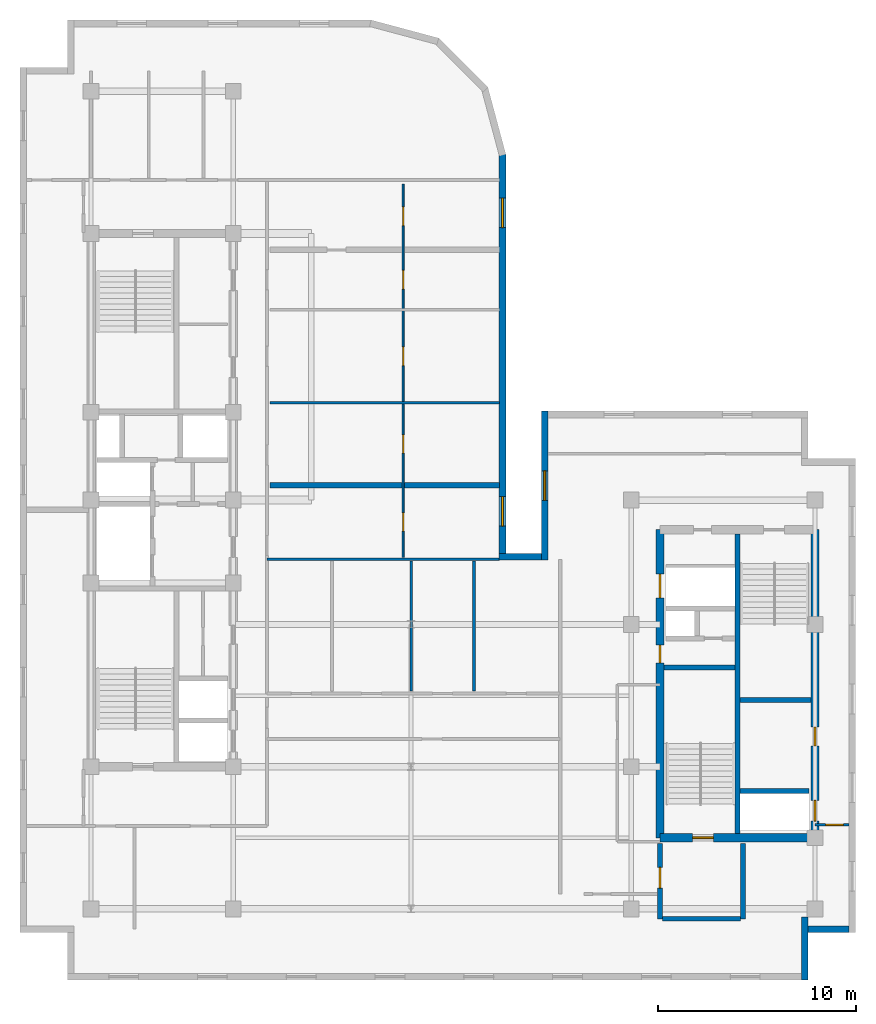
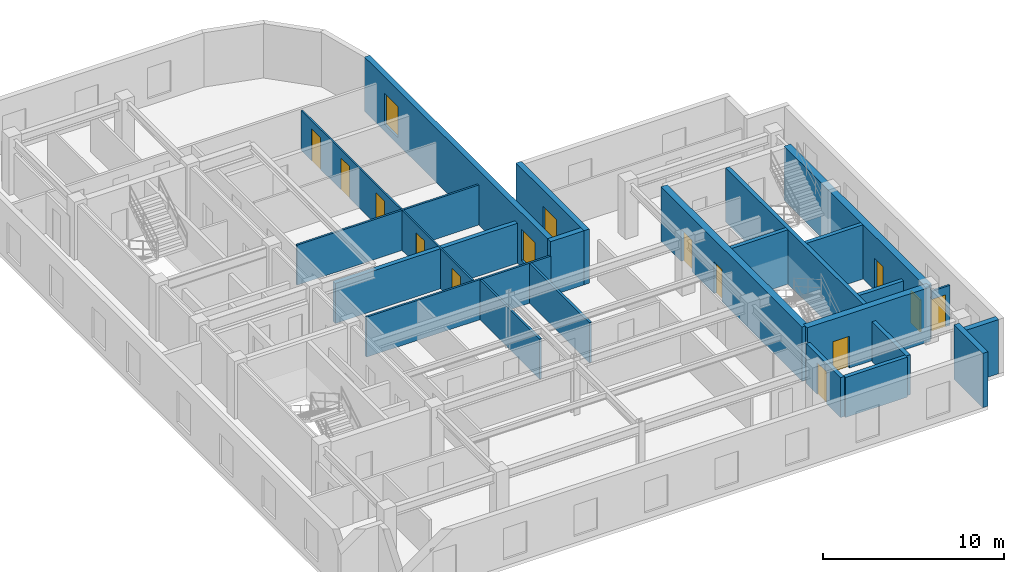
# One storey, part 5 of 10: 22 walls, 12 doors, 3 windows, 15 openings.
"""IFC4 building model written with IfcOpenShell, lengths in metres."""

from ifc_helpers import new_model, entity, si_unit, converted_unit, direction, frame, origin_with_axes, origin_2d_with_axis, place, context, subcontext, project, spatial, polyline, rectangle, outline, extrude, material, layer, layer_set, type_object, element, fill, save


model = new_model("IFC4")

# Units and contexts
model_context = context("Model", 3, precision=1e-05, world=origin_with_axes(), true_north=direction((0.0, 1.0)))
body_context = subcontext(model_context, "Body", "Model", "MODEL_VIEW")
ifc_project = project(units=[si_unit("LENGTHUNIT", "METRE"), si_unit("AREAUNIT", "SQUARE_METRE"), si_unit("VOLUMEUNIT", "CUBIC_METRE"), converted_unit("PLANEANGLEUNIT", "DEGREE", entity("IfcPlaneAngleMeasure", 0.017453292519943295), si_unit("PLANEANGLEUNIT", "RADIAN"), dimensions=[0, 0, 0, 0, 0, 0, 0]), si_unit("MASSUNIT", "GRAM", prefix="KILO"), si_unit("THERMODYNAMICTEMPERATUREUNIT", "KELVIN")], contexts=[model_context])

# Site, building, storey
site_placement = place(None, origin_with_axes())
site = spatial("IfcSite", under=ifc_project, at=site_placement, CompositionType="ELEMENT")
building_placement = place(site_placement, origin_with_axes())
building = spatial("IfcBuilding", under=site, at=building_placement, Name="Varnlund Millrace Tower", CompositionType="ELEMENT")
storey_placement = place(building_placement, frame((0.0, 0.0, 272.4), z_axis=(0.0, 0.0, 1.0), x_axis=(1.0, 0.0, 0.0)))
storey = spatial("IfcBuildingStorey", under=building, at=storey_placement, Name="L67", CompositionType="ELEMENT", Elevation=272.4)

# Wall, openings, doors
ifc_material_1 = material(Name="Concrete C60/75", Category="concrete")
ifc_layer_1 = layer(ifc_material_1, 0.42, Name="Concrete C60/75")
ifc_layer_set_1 = layer_set([ifc_layer_1], Name="Concrete C60/75")
wall_type_1 = type_object("IfcWallType", Name="Type-CoreWall-Shear-420-C60", PredefinedType="SHEAR", material=ifc_layer_set_1)
wall_1_placement = place(storey_placement, frame((40.2, 7.2, 0.0), z_axis=(0.0, 0.0, 1.0), x_axis=(0.0, 1.0, 0.0)))
wall_1 = element("IfcWall", 1, at=wall_1_placement, inside=storey, type_object=wall_type_1, Name="Type-CoreWall-Shear-420-C60", PredefinedType="SHEAR", context=body_context, shape_type="SweptSolid", body=[
    extrude(outline(polyline([(0.0, -0.21), (15.6, -0.21), (15.6, 0.21), (0.0, 0.21), (0.0, -0.21)])), origin_with_axes(), (0.0, 0.0, 1.0), 3.66),
])
opening_1_placement = place(wall_1_placement, frame((12.75, 0.0, 0.0), z_axis=(0.0, 0.0, 1.0), x_axis=(1.0, 0.0, 0.0)))
opening_1 = element("IfcOpeningElement", 2, at=opening_1_placement, cuts=wall_1, Name="Opening L67:LD-SRV2", PredefinedType="OPENING", context=body_context, shape_type="SweptSolid", body=[
    extrude(rectangle(XDim=1.2, YDim=0.44, at=origin_2d_with_axis()), origin_with_axes(), (0.0, 0.0, 1.0), 2.15),
])
opening_2_placement = place(wall_1_placement, frame((9.3, 0.0, 0.0), z_axis=(0.0, 0.0, 1.0), x_axis=(1.0, 0.0, 0.0)))
opening_2 = element("IfcOpeningElement", 3, at=opening_2_placement, cuts=wall_1, Name="Opening L67:DR-CB-JAN", PredefinedType="OPENING", context=body_context, shape_type="SweptSolid", body=[
    extrude(rectangle(XDim=0.9, YDim=0.44, at=origin_2d_with_axis()), origin_with_axes(), (0.0, 0.0, 1.0), 2.15),
])
ifc_material_2 = material(Name="Fire-rated hollow steel service closet door", Category="steel")
door_type_1 = type_object("IfcDoorType", Name="Type-FireDoor-Closet-900X2150", OperationType="NOTDEFINED", PredefinedType="DOOR", material=ifc_material_2)
door_1_placement = place(wall_1_placement, frame((9.3, 0.0, 0.0), z_axis=(0.0, 0.0, 1.0), x_axis=(1.0, 0.0, 0.0)))
door_1 = element("IfcDoor", 4, at=door_1_placement, inside=storey, type_object=door_type_1, Name="Type-FireDoor-Closet-900X2150", OperationType="SINGLE_SWING_RIGHT", OverallHeight=2.15, OverallWidth=0.9, PredefinedType="DOOR", context=body_context, shape_type="SweptSolid", body=[
    extrude(rectangle(XDim=0.9, YDim=0.09, at=origin_2d_with_axis()), origin_with_axes(), (0.0, 0.0, 1.0), 2.15),
])
fill(opening_2, door_1)
ifc_material_3 = material(Name="Heavy-duty freight sliding landing door")
door_type_2 = type_object("IfcDoorType", Name="Type-LiftLandingDoor-Service-1200X2150", OperationType="NOTDEFINED", PredefinedType="DOOR", material=ifc_material_3)
door_2_placement = place(wall_1_placement, frame((12.75, 0.0, 0.0), z_axis=(0.0, 0.0, 1.0), x_axis=(1.0, 0.0, 0.0)))
door_2 = element("IfcDoor", 5, at=door_2_placement, inside=storey, type_object=door_type_2, Name="Type-LiftLandingDoor-Service-1200X2150", OperationType="DOUBLE_DOOR_SLIDING", OverallHeight=2.15, OverallWidth=1.2, PredefinedType="DOOR", context=body_context, shape_type="SweptSolid", body=[
    extrude(rectangle(XDim=1.2, YDim=0.09, at=origin_2d_with_axis()), origin_with_axes(), (0.0, 0.0, 1.0), 2.15),
])
fill(opening_1, door_2)

# Wall, opening, door
wall_2_placement = place(storey_placement, frame((40.2, 7.2, 0.0), z_axis=(0.0, 0.0, 1.0), x_axis=(1.0, 0.0, 0.0)))
wall_2 = element("IfcWall", 6, at=wall_2_placement, inside=storey, type_object=wall_type_1, Name="Type-CoreWall-Shear-420-C60", PredefinedType="SHEAR", context=body_context, shape_type="SweptSolid", body=[
    extrude(outline(polyline([(0.0, -0.21), (7.85, -0.21), (7.85, 0.21), (0.0, 0.21), (0.0, -0.21)])), origin_with_axes(), (0.0, 0.0, 1.0), 3.66),
])
opening_3_placement = place(wall_2_placement, frame((2.175, 0.0, 0.0), z_axis=(0.0, 0.0, 1.0), x_axis=(1.0, 0.0, 0.0)))
opening_3 = element("IfcOpeningElement", 7, at=opening_3_placement, cuts=wall_2, Name="Opening L67:DR-STB1", PredefinedType="OPENING", context=body_context, shape_type="SweptSolid", body=[
    extrude(rectangle(XDim=1.05, YDim=0.44, at=origin_2d_with_axis()), origin_with_axes(), (0.0, 0.0, 1.0), 2.15),
])
ifc_material_4 = material(Name="Fire-rated hollow steel door", Category="steel")
door_type_3 = type_object("IfcDoorType", Name="Type-FireDoor-Stair-1050X2150", OperationType="NOTDEFINED", PredefinedType="DOOR", material=ifc_material_4)
door_3_placement = place(wall_2_placement, frame((2.175, 0.0, 0.0), z_axis=(0.0, 0.0, 1.0), x_axis=(1.0, 0.0, 0.0)))
door_3 = element("IfcDoor", 8, at=door_3_placement, inside=storey, type_object=door_type_3, Name="Type-FireDoor-Stair-1050X2150", OperationType="SINGLE_SWING_LEFT", OverallHeight=2.15, OverallWidth=1.05, PredefinedType="DOOR", context=body_context, shape_type="SweptSolid", body=[
    extrude(rectangle(XDim=1.05, YDim=0.09, at=origin_2d_with_axis()), origin_with_axes(), (0.0, 0.0, 1.0), 2.15),
])
fill(opening_3, door_3)

# Wall, openings, doors
wall_3_placement = place(storey_placement, frame((48.05, 7.2, 0.0), z_axis=(0.0, 0.0, 1.0), x_axis=(0.0, 1.0, 0.0)))
wall_3 = element("IfcWall", 9, at=wall_3_placement, inside=storey, type_object=wall_type_1, Name="Type-CoreWall-Shear-420-C60", PredefinedType="SHEAR", context=body_context, shape_type="SweptSolid", body=[
    extrude(outline(polyline([(0.0, -0.21), (15.6, -0.21), (15.6, 0.21), (0.0, 0.21), (0.0, -0.21)])), origin_with_axes(), (0.0, 0.0, 1.0), 3.66),
])
opening_4_placement = place(wall_3_placement, frame((1.375, 0.0, 0.0), z_axis=(0.0, 0.0, 1.0), x_axis=(1.0, 0.0, 0.0)))
opening_4 = element("IfcOpeningElement", 10, at=opening_4_placement, cuts=wall_3, Name="Opening L67:LD-ELV-H3", PredefinedType="OPENING", context=body_context, shape_type="SweptSolid", body=[
    extrude(rectangle(XDim=1.05, YDim=0.44, at=origin_2d_with_axis()), origin_with_axes(), (0.0, 0.0, 1.0), 2.15),
])
opening_5_placement = place(wall_3_placement, frame((5.125, 0.0, 0.0), z_axis=(0.0, 0.0, 1.0), x_axis=(1.0, 0.0, 0.0)))
opening_5 = element("IfcOpeningElement", 11, at=opening_5_placement, cuts=wall_3, Name="Opening L67:DR-CB-WC", PredefinedType="OPENING", context=body_context, shape_type="SweptSolid", body=[
    extrude(rectangle(XDim=0.95, YDim=0.44, at=origin_2d_with_axis()), origin_with_axes(), (0.0, 0.0, 1.0), 2.15),
])
ifc_material_5 = material(Name="Fire-rated hollow steel core service door", Category="steel")
door_type_4 = type_object("IfcDoorType", Name="Type-FireDoor-Service-950X2150", OperationType="NOTDEFINED", PredefinedType="DOOR", material=ifc_material_5)
door_4_placement = place(wall_3_placement, frame((5.125, 0.0, 0.0), z_axis=(0.0, 0.0, 1.0), x_axis=(1.0, 0.0, 0.0)))
door_4 = element("IfcDoor", 12, at=door_4_placement, inside=storey, type_object=door_type_4, Name="Type-FireDoor-Service-950X2150", OperationType="SINGLE_SWING_LEFT", OverallHeight=2.15, OverallWidth=0.95, PredefinedType="DOOR", context=body_context, shape_type="SweptSolid", body=[
    extrude(rectangle(XDim=0.95, YDim=0.09, at=origin_2d_with_axis()), origin_with_axes(), (0.0, 0.0, 1.0), 2.15),
])
fill(opening_5, door_4)
ifc_material_6 = material(Name="Architectural bronze sliding landing door")
door_type_5 = type_object("IfcDoorType", Name="Type-LiftLandingDoor-Compact-1050X2150", OperationType="NOTDEFINED", PredefinedType="DOOR", material=ifc_material_6)
door_5_placement = place(wall_3_placement, frame((1.375, 0.0, 0.0), z_axis=(0.0, 0.0, 1.0), x_axis=(1.0, 0.0, 0.0)))
door_5 = element("IfcDoor", 13, at=door_5_placement, inside=storey, type_object=door_type_5, Name="Type-LiftLandingDoor-Compact-1050X2150", OperationType="SLIDING_TO_LEFT", OverallHeight=2.15, OverallWidth=1.05, PredefinedType="DOOR", context=body_context, shape_type="SweptSolid", body=[
    extrude(rectangle(XDim=1.05, YDim=0.09, at=origin_2d_with_axis()), origin_with_axes(), (0.0, 0.0, 1.0), 2.15),
])
fill(opening_4, door_5)

# Wall, opening, window
ifc_material_7 = material(Name="Precast concrete C50/60", Category="concrete")
ifc_layer_2 = layer(ifc_material_7, 0.34, Name="Precast concrete C50/60")
ifc_layer_set_2 = layer_set([ifc_layer_2], Name="Precast concrete C50/60")
wall_type_2 = type_object("IfcWallType", Name="Type-ExtWall-Precast-Upper-340", PredefinedType="SOLIDWALL", material=ifc_layer_set_2)
wall_4_placement = place(storey_placement, frame((34.37, 21.26, 0.0), z_axis=(0.0, 0.0, 1.0), x_axis=(0.0, 1.0, 0.0)))
wall_4 = element("IfcWall", 14, at=wall_4_placement, inside=storey, type_object=wall_type_2, Name="Type-ExtWall-Precast-Upper-340", PredefinedType="SOLIDWALL", context=body_context, shape_type="SweptSolid", body=[
    extrude(outline(polyline([(0.0, -0.17), (7.54, -0.17), (7.54, 0.17), (0.0, 0.17), (0.0, -0.17)])), origin_with_axes(), (0.0, 0.0, 1.0), 3.66),
])
opening_6_placement = place(wall_4_placement, frame((3.77, 0.0, 0.45), z_axis=(0.0, 0.0, 1.0), x_axis=(1.0, 0.0, 0.0)))
opening_6 = element("IfcOpeningElement", 15, at=opening_6_placement, cuts=wall_4, Name="Opening L67:WN-01", PredefinedType="OPENING", context=body_context, shape_type="SweptSolid", body=[
    extrude(rectangle(XDim=1.5, YDim=0.36, at=origin_2d_with_axis()), origin_with_axes(), (0.0, 0.0, 1.0), 2.1),
])
ifc_material_8 = material(Name="Argon low-e triple glazing in thermally broken bronze frame", Category="glass")
window_type = type_object("IfcWindowType", Name="Type-Window-Punched-1500X2100", PartitioningType="SINGLE_PANEL", PredefinedType="WINDOW", material=ifc_material_8)
window_1_placement = place(wall_4_placement, frame((3.77, 0.0, 0.45), z_axis=(0.0, 0.0, 1.0), x_axis=(1.0, 0.0, 0.0)))
window_1 = element("IfcWindow", 16, at=window_1_placement, inside=storey, type_object=window_type, Name="Type-Window-Punched-1500X2100", OverallHeight=2.1, OverallWidth=1.5, PredefinedType="WINDOW", context=body_context, shape_type="SweptSolid", body=[
    extrude(rectangle(XDim=1.5, YDim=0.09, at=origin_2d_with_axis()), origin_with_axes(), (0.0, 0.0, 1.0), 2.1),
])
fill(opening_6, window_1)

# Walls
wall_5_placement = place(storey_placement, frame((49.76, 2.57, 0.0), z_axis=(0.0, 0.0, 1.0), x_axis=(-1.0, 0.0, 0.0)))
element("IfcWall", 17, at=wall_5_placement, inside=storey, type_object=wall_type_2, Name="Type-ExtWall-Precast-Upper-340", PredefinedType="SOLIDWALL", context=body_context, shape_type="SweptSolid", body=[
    extrude(outline(polyline([(0.0, -0.17), (2.06, -0.17), (2.06, 0.17), (0.0, 0.17), (0.0, -0.17)])), origin_with_axes(), (0.0, 0.0, 1.0), 3.66),
])
wall_6_placement = place(storey_placement, frame((47.53, 3.2, 0.0), z_axis=(0.0, 0.0, 1.0), x_axis=(0.0, -1.0, 0.0)))
element("IfcWall", 18, at=wall_6_placement, inside=storey, type_object=wall_type_2, Name="Type-ExtWall-Precast-Upper-340", PredefinedType="SOLIDWALL", context=body_context, shape_type="SweptSolid", body=[
    extrude(outline(polyline([(0.0, -0.17), (3.2, -0.17), (3.2, 0.17), (0.0, 0.17), (0.0, -0.17)])), origin_with_axes(), (0.0, 0.0, 1.0), 3.66),
])

# Wall, openings, windows
wall_7_placement = place(storey_placement, frame((32.23, 41.82, 0.0), z_axis=(0.0, 0.0, 1.0), x_axis=(0.0, -1.0, 0.0)))
wall_7 = element("IfcWall", 19, at=wall_7_placement, inside=storey, type_object=wall_type_2, Name="Type-ExtWall-Precast-Upper-340", PredefinedType="SOLIDWALL", context=body_context, shape_type="SweptSolid", body=[
    extrude(outline(polyline([(0.0, -0.17), (20.22, -0.17), (20.22, 0.17), (0.0, 0.17), (0.0, -0.17)])), origin_with_axes(), (0.0, 0.0, 1.0), 3.66),
])
opening_7_placement = place(wall_7_placement, frame((2.978, 0.0, 0.45), z_axis=(0.0, 0.0, 1.0), x_axis=(1.0, 0.0, 0.0)))
opening_7 = element("IfcOpeningElement", 20, at=opening_7_placement, cuts=wall_7, Name="Opening L67:WN-29", PredefinedType="OPENING", context=body_context, shape_type="SweptSolid", body=[
    extrude(rectangle(XDim=1.5, YDim=0.36, at=origin_2d_with_axis()), origin_with_axes(), (0.0, 0.0, 1.0), 2.1),
])
opening_8_placement = place(wall_7_placement, frame((18.092, 0.0, 0.45), z_axis=(0.0, 0.0, 1.0), x_axis=(1.0, 0.0, 0.0)))
opening_8 = element("IfcOpeningElement", 21, at=opening_8_placement, cuts=wall_7, Name="Opening L67:WN-30", PredefinedType="OPENING", context=body_context, shape_type="SweptSolid", body=[
    extrude(rectangle(XDim=1.5, YDim=0.36, at=origin_2d_with_axis()), origin_with_axes(), (0.0, 0.0, 1.0), 2.1),
])
window_2_placement = place(wall_7_placement, frame((2.978, 0.0, 0.45), z_axis=(0.0, 0.0, 1.0), x_axis=(1.0, 0.0, 0.0)))
window_2 = element("IfcWindow", 22, at=window_2_placement, inside=storey, type_object=window_type, Name="Type-Window-Punched-1500X2100", OverallHeight=2.1, OverallWidth=1.5, PredefinedType="WINDOW", context=body_context, shape_type="SweptSolid", body=[
    extrude(rectangle(XDim=1.5, YDim=0.09, at=origin_2d_with_axis()), origin_with_axes(), (0.0, 0.0, 1.0), 2.1),
])
fill(opening_7, window_2)
window_3_placement = place(wall_7_placement, frame((18.092, 0.0, 0.45), z_axis=(0.0, 0.0, 1.0), x_axis=(1.0, 0.0, 0.0)))
window_3 = element("IfcWindow", 23, at=window_3_placement, inside=storey, type_object=window_type, Name="Type-Window-Punched-1500X2100", OverallHeight=2.1, OverallWidth=1.5, PredefinedType="WINDOW", context=body_context, shape_type="SweptSolid", body=[
    extrude(rectangle(XDim=1.5, YDim=0.09, at=origin_2d_with_axis()), origin_with_axes(), (0.0, 0.0, 1.0), 2.1),
])
fill(opening_8, window_3)

# Walls
wall_8_placement = place(storey_placement, frame((32.06, 21.43, 0.0), z_axis=(0.0, 0.0, 1.0), x_axis=(1.0, 0.0, 0.0)))
element("IfcWall", 24, at=wall_8_placement, inside=storey, type_object=wall_type_2, Name="Type-ExtWall-Precast-Upper-340", PredefinedType="SOLIDWALL", context=body_context, shape_type="SweptSolid", body=[
    extrude(outline(polyline([(0.0, -0.17), (2.14, -0.17), (2.14, 0.17), (0.0, 0.17), (0.0, -0.17)])), origin_with_axes(), (0.0, 0.0, 1.0), 3.66),
])
ifc_material_9 = material(Name="Double-stud STC-60 conference acoustic partition", Category="gypsum")
ifc_layer_3 = layer(ifc_material_9, 0.28, Name="Double-stud STC-60 conference acoustic partition")
ifc_layer_set_3 = layer_set([ifc_layer_3], Name="Double-stud STC-60 conference acoustic partition")
wall_type_3 = type_object("IfcWallType", Name="Type-Partition-Acoustic-280", PredefinedType="PARTITIONING", material=ifc_layer_set_3)
wall_9_placement = place(storey_placement, frame((20.45, 25.05, 0.0), z_axis=(0.0, 0.0, 1.0), x_axis=(1.0, 0.0, 0.0)))
element("IfcWall", 25, at=wall_9_placement, inside=storey, type_object=wall_type_3, Name="Type-Partition-Acoustic-280", PredefinedType="PARTITIONING", context=body_context, shape_type="SweptSolid", body=[
    extrude(outline(polyline([(0.0, -0.14), (11.615, -0.14), (11.615, 0.14), (0.0, 0.14), (0.0, -0.14)])), origin_with_axes(), (0.0, 0.0, 1.0), 2.7),
])
ifc_material_10 = material(Name="Acoustic STC-50 gypsum board partition", Category="gypsum")
ifc_layer_4 = layer(ifc_material_10, 0.15, Name="Acoustic STC-50 gypsum board partition")
ifc_layer_set_4 = layer_set([ifc_layer_4], Name="Acoustic STC-50 gypsum board partition")
wall_type_4 = type_object("IfcWallType", Name="Type-Partition-Demising-150", PredefinedType="PARTITIONING", material=ifc_layer_set_4)
wall_10_placement = place(storey_placement, frame((30.778, 14.62, 0.0), z_axis=(0.0, 0.0, 1.0), x_axis=(0.0, 1.0, 0.0)))
element("IfcWall", 26, at=wall_10_placement, inside=storey, type_object=wall_type_4, Name="Type-Partition-Demising-150", PredefinedType="PARTITIONING", context=body_context, shape_type="SweptSolid", body=[
    extrude(outline(polyline([(0.0, -0.075), (6.6, -0.075), (6.6, 0.075), (0.0, 0.075), (0.0, -0.075)])), origin_with_axes(), (0.0, 0.0, 1.0), 2.7),
])

# Wall, openings, doors
ifc_material_11 = material(Name="Architectural bronze and acoustic glass office front", Category="glass")
ifc_layer_5 = layer(ifc_material_11, 0.1, Name="Architectural bronze and acoustic glass office front")
ifc_layer_set_5 = layer_set([ifc_layer_5], Name="Architectural bronze and acoustic glass office front")
wall_type_5 = type_object("IfcWallType", Name="Type-Partition-Glazed-100", PredefinedType="PARTITIONING", material=ifc_layer_set_5)
wall_11_placement = place(storey_placement, frame((27.2, 21.4, 0.0), z_axis=(0.0, 0.0, 1.0), x_axis=(0.0, 1.0, 0.0)))
wall_11 = element("IfcWall", 27, at=wall_11_placement, inside=storey, type_object=wall_type_5, Name="Type-Partition-Glazed-100", PredefinedType="PARTITIONING", context=body_context, shape_type="SweptSolid", body=[
    extrude(outline(polyline([(0.0, -0.05), (18.9, -0.05), (18.9, 0.05), (0.0, 0.05), (0.0, -0.05)])), origin_with_axes(), (0.0, 0.0, 1.0), 2.7),
])
opening_9_placement = place(wall_11_placement, frame((1.79, 0.0, 0.0), z_axis=(0.0, 0.0, 1.0), x_axis=(1.0, 0.0, 0.0)))
opening_9 = element("IfcOpeningElement", 28, at=opening_9_placement, cuts=wall_11, Name="Opening L67:DR-FLR-S01", PredefinedType="OPENING", context=body_context, shape_type="SweptSolid", body=[
    extrude(rectangle(XDim=0.95, YDim=0.12, at=origin_2d_with_axis()), origin_with_axes(), (0.0, 0.0, 1.0), 2.15),
])
opening_10_placement = place(wall_11_placement, frame((5.739, 0.0, 0.0), z_axis=(0.0, 0.0, 1.0), x_axis=(1.0, 0.0, 0.0)))
opening_10 = element("IfcOpeningElement", 29, at=opening_10_placement, cuts=wall_11, Name="Opening L67:DR-FLR-S02", PredefinedType="OPENING", context=body_context, shape_type="SweptSolid", body=[
    extrude(rectangle(XDim=0.95, YDim=0.12, at=origin_2d_with_axis()), origin_with_axes(), (0.0, 0.0, 1.0), 2.15),
])
opening_11_placement = place(wall_11_placement, frame((10.1835, 0.0, 0.0), z_axis=(0.0, 0.0, 1.0), x_axis=(1.0, 0.0, 0.0)))
opening_11 = element("IfcOpeningElement", 30, at=opening_11_placement, cuts=wall_11, Name="Opening L67:DR-FLR-S03", PredefinedType="OPENING", context=body_context, shape_type="SweptSolid", body=[
    extrude(rectangle(XDim=0.95, YDim=0.12, at=origin_2d_with_axis()), origin_with_axes(), (0.0, 0.0, 1.0), 2.15),
])
opening_12_placement = place(wall_11_placement, frame((14.0515, 0.0, 0.0), z_axis=(0.0, 0.0, 1.0), x_axis=(1.0, 0.0, 0.0)))
opening_12 = element("IfcOpeningElement", 31, at=opening_12_placement, cuts=wall_11, Name="Opening L67:DR-FLR-S04", PredefinedType="OPENING", context=body_context, shape_type="SweptSolid", body=[
    extrude(rectangle(XDim=0.95, YDim=0.12, at=origin_2d_with_axis()), origin_with_axes(), (0.0, 0.0, 1.0), 2.15),
])
opening_13_placement = place(wall_11_placement, frame((17.267, 0.0, 0.0), z_axis=(0.0, 0.0, 1.0), x_axis=(1.0, 0.0, 0.0)))
opening_13 = element("IfcOpeningElement", 32, at=opening_13_placement, cuts=wall_11, Name="Opening L67:DR-FLR-S05", PredefinedType="OPENING", context=body_context, shape_type="SweptSolid", body=[
    extrude(rectangle(XDim=0.95, YDim=0.12, at=origin_2d_with_axis()), origin_with_axes(), (0.0, 0.0, 1.0), 2.15),
])
ifc_material_12 = material(Name="Solid-core acoustic office door")
door_type_6 = type_object("IfcDoorType", Name="Type-IntDoor-Tenant-950X2150", OperationType="NOTDEFINED", PredefinedType="DOOR", material=ifc_material_12)
door_6_placement = place(wall_11_placement, frame((1.79, 0.0, 0.0), z_axis=(0.0, 0.0, 1.0), x_axis=(1.0, 0.0, 0.0)))
door_6 = element("IfcDoor", 33, at=door_6_placement, inside=storey, type_object=door_type_6, Name="Type-IntDoor-Tenant-950X2150", OperationType="SINGLE_SWING_LEFT", OverallHeight=2.15, OverallWidth=0.95, PredefinedType="DOOR", context=body_context, shape_type="SweptSolid", body=[
    extrude(rectangle(XDim=0.95, YDim=0.06, at=origin_2d_with_axis()), origin_with_axes(), (0.0, 0.0, 1.0), 2.15),
])
fill(opening_9, door_6)
door_7_placement = place(wall_11_placement, frame((5.739, 0.0, 0.0), z_axis=(0.0, 0.0, 1.0), x_axis=(1.0, 0.0, 0.0)))
door_7 = element("IfcDoor", 34, at=door_7_placement, inside=storey, type_object=door_type_6, Name="Type-IntDoor-Tenant-950X2150", OperationType="SINGLE_SWING_LEFT", OverallHeight=2.15, OverallWidth=0.95, PredefinedType="DOOR", context=body_context, shape_type="SweptSolid", body=[
    extrude(rectangle(XDim=0.95, YDim=0.06, at=origin_2d_with_axis()), origin_with_axes(), (0.0, 0.0, 1.0), 2.15),
])
fill(opening_10, door_7)
door_8_placement = place(wall_11_placement, frame((10.1835, 0.0, 0.0), z_axis=(0.0, 0.0, 1.0), x_axis=(1.0, 0.0, 0.0)))
door_8 = element("IfcDoor", 35, at=door_8_placement, inside=storey, type_object=door_type_6, Name="Type-IntDoor-Tenant-950X2150", OperationType="SINGLE_SWING_LEFT", OverallHeight=2.15, OverallWidth=0.95, PredefinedType="DOOR", context=body_context, shape_type="SweptSolid", body=[
    extrude(rectangle(XDim=0.95, YDim=0.06, at=origin_2d_with_axis()), origin_with_axes(), (0.0, 0.0, 1.0), 2.15),
])
fill(opening_11, door_8)
door_9_placement = place(wall_11_placement, frame((14.0515, 0.0, 0.0), z_axis=(0.0, 0.0, 1.0), x_axis=(1.0, 0.0, 0.0)))
door_9 = element("IfcDoor", 36, at=door_9_placement, inside=storey, type_object=door_type_6, Name="Type-IntDoor-Tenant-950X2150", OperationType="SINGLE_SWING_LEFT", OverallHeight=2.15, OverallWidth=0.95, PredefinedType="DOOR", context=body_context, shape_type="SweptSolid", body=[
    extrude(rectangle(XDim=0.95, YDim=0.06, at=origin_2d_with_axis()), origin_with_axes(), (0.0, 0.0, 1.0), 2.15),
])
fill(opening_12, door_9)
door_10_placement = place(wall_11_placement, frame((17.267, 0.0, 0.0), z_axis=(0.0, 0.0, 1.0), x_axis=(1.0, 0.0, 0.0)))
door_10 = element("IfcDoor", 37, at=door_10_placement, inside=storey, type_object=door_type_6, Name="Type-IntDoor-Tenant-950X2150", OperationType="SINGLE_SWING_LEFT", OverallHeight=2.15, OverallWidth=0.95, PredefinedType="DOOR", context=body_context, shape_type="SweptSolid", body=[
    extrude(rectangle(XDim=0.95, YDim=0.06, at=origin_2d_with_axis()), origin_with_axes(), (0.0, 0.0, 1.0), 2.15),
])
fill(opening_13, door_10)

# Walls
ifc_material_13 = material(Name="Gypsum board tenant partition", Category="gypsum")
ifc_layer_6 = layer(ifc_material_13, 0.125, Name="Gypsum board tenant partition")
ifc_layer_set_6 = layer_set([ifc_layer_6], Name="Gypsum board tenant partition")
wall_type_6 = type_object("IfcWallType", Name="Type-Partition-Tenant-125", PredefinedType="PARTITIONING", material=ifc_layer_set_6)
wall_12_placement = place(storey_placement, frame((20.45, 29.228, 0.0), z_axis=(0.0, 0.0, 1.0), x_axis=(1.0, 0.0, 0.0)))
element("IfcWall", 38, at=wall_12_placement, inside=storey, type_object=wall_type_6, Name="Type-Partition-Tenant-125", PredefinedType="PARTITIONING", context=body_context, shape_type="SweptSolid", body=[
    extrude(outline(polyline([(0.0, -0.0625), (11.615, -0.0625), (11.615, 0.0625), (0.0, 0.0625), (0.0, -0.0625)])), origin_with_axes(), (0.0, 0.0, 1.0), 2.7),
])
wall_13_placement = place(storey_placement, frame((27.6, 14.62, 0.0), z_axis=(0.0, 0.0, 1.0), x_axis=(0.0, 1.0, 0.0)))
element("IfcWall", 39, at=wall_13_placement, inside=storey, type_object=wall_type_6, Name="Type-Partition-Tenant-125", PredefinedType="PARTITIONING", context=body_context, shape_type="SweptSolid", body=[
    extrude(outline(polyline([(0.0, -0.0625), (6.6, -0.0625), (6.6, 0.0625), (0.0, 0.0625), (0.0, -0.0625)])), origin_with_axes(), (0.0, 0.0, 1.0), 2.7),
])

# Wall, opening, door
wall_14_placement = place(storey_placement, frame((49.765, 7.85, 0.0), z_axis=(0.0, 0.0, 1.0), x_axis=(-1.0, 0.0, 0.0)))
wall_14 = element("IfcWall", 40, at=wall_14_placement, inside=storey, type_object=wall_type_6, Name="Type-Partition-Tenant-125", PredefinedType="PARTITIONING", context=body_context, shape_type="SweptSolid", body=[
    extrude(outline(polyline([(0.0, -0.0625), (1.715, -0.0625), (1.715, 0.0625), (0.0, 0.0625), (0.0, -0.0625)])), origin_with_axes(), (0.0, 0.0, 1.0), 2.7),
])
opening_14_placement = place(wall_14_placement, frame((0.725, 0.0, 0.0), z_axis=(0.0, 0.0, 1.0), x_axis=(1.0, 0.0, 0.0)))
opening_14 = element("IfcOpeningElement", 41, at=opening_14_placement, cuts=wall_14, Name="Opening L67:DR-WBS-01", PredefinedType="OPENING", context=body_context, shape_type="SweptSolid", body=[
    extrude(rectangle(XDim=0.9, YDim=0.145, at=origin_2d_with_axis()), origin_with_axes(), (0.0, 0.0, 1.0), 2.15),
])
ifc_material_14 = material(Name="Painted steel riser and closet door", Category="steel")
door_type_7 = type_object("IfcDoorType", Name="Type-IntDoor-Closet-900X2150", OperationType="NOTDEFINED", PredefinedType="DOOR", material=ifc_material_14)
door_11_placement = place(wall_14_placement, frame((0.725, 0.0, 0.0), z_axis=(0.0, 0.0, 1.0), x_axis=(1.0, 0.0, 0.0)))
door_11 = element("IfcDoor", 42, at=door_11_placement, inside=storey, type_object=door_type_7, Name="Type-IntDoor-Closet-900X2150", OperationType="SINGLE_SWING_LEFT", OverallHeight=2.15, OverallWidth=0.9, PredefinedType="DOOR", context=body_context, shape_type="SweptSolid", body=[
    extrude(rectangle(XDim=0.9, YDim=0.075, at=origin_2d_with_axis()), origin_with_axes(), (0.0, 0.0, 1.0), 2.15),
])
fill(opening_14, door_11)

# Wall
wall_15_placement = place(storey_placement, frame((20.3, 21.3, 0.0), z_axis=(0.0, 0.0, 1.0), x_axis=(1.0, 0.0, 0.0)))
element("IfcWall", 43, at=wall_15_placement, inside=storey, type_object=wall_type_6, Name="Type-Partition-Tenant-125", PredefinedType="PARTITIONING", context=body_context, shape_type="SweptSolid", body=[
    extrude(outline(polyline([(0.0, -0.0625), (11.765, -0.0625), (11.765, 0.0625), (0.0, 0.0625), (0.0, -0.0625)])), origin_with_axes(), (0.0, 0.0, 1.0), 2.7),
])

# Wall, opening, door
ifc_layer_7 = layer(ifc_material_1, 0.25, Name="Concrete C60/75")
ifc_layer_set_7 = layer_set([ifc_layer_7], Name="Concrete C60/75")
wall_type_7 = type_object("IfcWallType", Name="Type-ShaftWall-Fire-250", PredefinedType="SOLIDWALL", material=ifc_layer_set_7)
wall_16_placement = place(storey_placement, frame((40.2, 3.1, 0.0), z_axis=(0.0, 0.0, 1.0), x_axis=(0.0, 1.0, 0.0)))
wall_16 = element("IfcWall", 44, at=wall_16_placement, inside=storey, type_object=wall_type_7, Name="Type-ShaftWall-Fire-250", PredefinedType="SOLIDWALL", context=body_context, shape_type="SweptSolid", body=[
    extrude(outline(polyline([(0.0, -0.125), (3.8, -0.125), (3.8, 0.125), (0.0, 0.125), (0.0, -0.125)])), origin_with_axes(), (0.0, 0.0, 1.0), 2.7),
])
opening_15_placement = place(wall_16_placement, frame((2.075, 0.0, 0.0), z_axis=(0.0, 0.0, 1.0), x_axis=(1.0, 0.0, 0.0)))
opening_15 = element("IfcOpeningElement", 45, at=opening_15_placement, cuts=wall_16, Name="Opening L67:DR-FFLOB-B", PredefinedType="OPENING", context=body_context, shape_type="SweptSolid", body=[
    extrude(rectangle(XDim=1.05, YDim=0.27, at=origin_2d_with_axis()), origin_with_axes(), (0.0, 0.0, 1.0), 2.15),
])
ifc_material_15 = material(Name="Smoke-barrier hollow steel fire door", Category="steel")
door_type_8 = type_object("IfcDoorType", Name="Type-FireDoor-Lobby-1050X2150", OperationType="NOTDEFINED", PredefinedType="DOOR", material=ifc_material_15)
door_12_placement = place(wall_16_placement, frame((2.075, 0.0, 0.0), z_axis=(0.0, 0.0, 1.0), x_axis=(1.0, 0.0, 0.0)))
door_12 = element("IfcDoor", 46, at=door_12_placement, inside=storey, type_object=door_type_8, Name="Type-FireDoor-Lobby-1050X2150", OperationType="SINGLE_SWING_LEFT", OverallHeight=2.15, OverallWidth=1.05, PredefinedType="DOOR", context=body_context, shape_type="SweptSolid", body=[
    extrude(rectangle(XDim=1.05, YDim=0.09, at=origin_2d_with_axis()), origin_with_axes(), (0.0, 0.0, 1.0), 2.15),
])
fill(opening_15, door_12)

# Walls
wall_17_placement = place(storey_placement, frame((40.325, 3.1, 0.0), z_axis=(0.0, 0.0, 1.0), x_axis=(1.0, 0.0, 0.0)))
element("IfcWall", 47, at=wall_17_placement, inside=storey, type_object=wall_type_7, Name="Type-ShaftWall-Fire-250", PredefinedType="SOLIDWALL", context=body_context, shape_type="SweptSolid", body=[
    extrude(outline(polyline([(0.0, -0.125), (3.95, -0.125), (3.95, 0.125), (0.0, 0.125), (0.0, -0.125)])), origin_with_axes(), (0.0, 0.0, 1.0), 2.7),
])
wall_18_placement = place(storey_placement, frame((44.4, 3.1, 0.0), z_axis=(0.0, 0.0, 1.0), x_axis=(0.0, 1.0, 0.0)))
element("IfcWall", 48, at=wall_18_placement, inside=storey, type_object=wall_type_7, Name="Type-ShaftWall-Fire-250", PredefinedType="SOLIDWALL", context=body_context, shape_type="SweptSolid", body=[
    extrude(outline(polyline([(0.0, -0.125), (3.8, -0.125), (3.8, 0.125), (0.0, 0.125), (0.0, -0.125)])), origin_with_axes(), (0.0, 0.0, 1.0), 2.7),
])
wall_19_placement = place(storey_placement, frame((44.25, 9.56, 0.0), z_axis=(0.0, 0.0, 1.0), x_axis=(1.0, 0.0, 0.0)))
element("IfcWall", 49, at=wall_19_placement, inside=storey, type_object=wall_type_7, Name="Type-ShaftWall-Fire-250", PredefinedType="SOLIDWALL", context=body_context, shape_type="SweptSolid", body=[
    extrude(outline(polyline([(0.0, -0.125), (3.5, -0.125), (3.5, 0.125), (0.0, 0.125), (0.0, -0.125)])), origin_with_axes(), (0.0, 0.0, 1.0), 2.7),
])
wall_type_8 = type_object("IfcWallType", Name="Type-StairWall-Shear-250", PredefinedType="SHEAR", material=ifc_layer_set_7)
wall_20_placement = place(storey_placement, frame((44.125, 7.41, 0.0), z_axis=(0.0, 0.0, 1.0), x_axis=(0.0, 1.0, 0.0)))
element("IfcWall", 50, at=wall_20_placement, inside=storey, type_object=wall_type_8, Name="Type-StairWall-Shear-250", PredefinedType="SHEAR", context=body_context, shape_type="SweptSolid", body=[
    extrude(outline(polyline([(0.0, -0.125), (15.18, -0.125), (15.18, 0.125), (0.0, 0.125), (0.0, -0.125)])), origin_with_axes(), (0.0, 0.0, 1.0), 3.66),
])
for number, where, z_axis, x_axis, name in (
    (51, (40.41, 15.825, 0.0), (0.0, 0.0, 1.0), (1.0, 0.0, 0.0), "Type-StairWall-Shear-250"),
    (52, (44.25, 14.175, 0.0), (0.0, 0.0, 1.0), (1.0, 0.0, 0.0), "Type-StairWall-Shear-250"),
):
    element("IfcWall", number, at=place(storey_placement, frame(where, z_axis=z_axis, x_axis=x_axis)), inside=storey, type_object=wall_type_8, Name=name, PredefinedType="SHEAR", context=body_context, shape_type="SweptSolid", body=[
        extrude(outline(polyline([(0.0, -0.125), (3.59, -0.125), (3.59, 0.125), (0.0, 0.125), (0.0, -0.125)])), origin_with_axes(), (0.0, 0.0, 1.0), 3.66),
    ])

save(model, "model.ifc")
